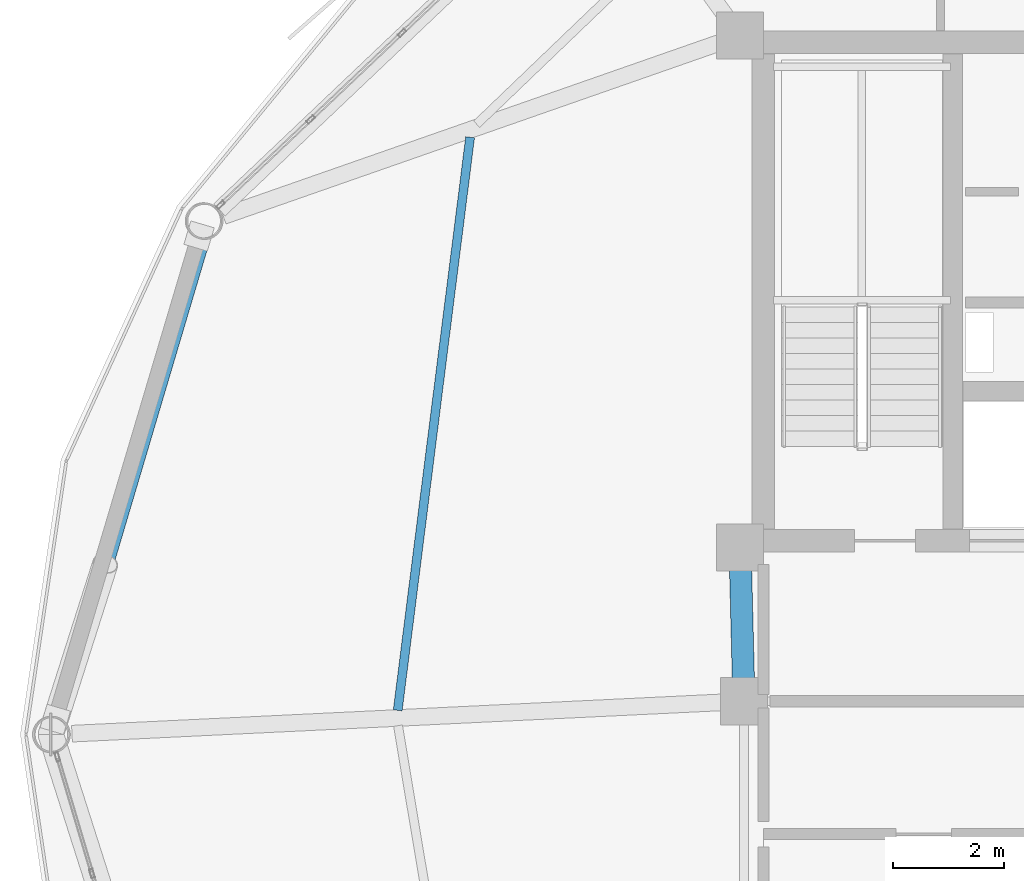
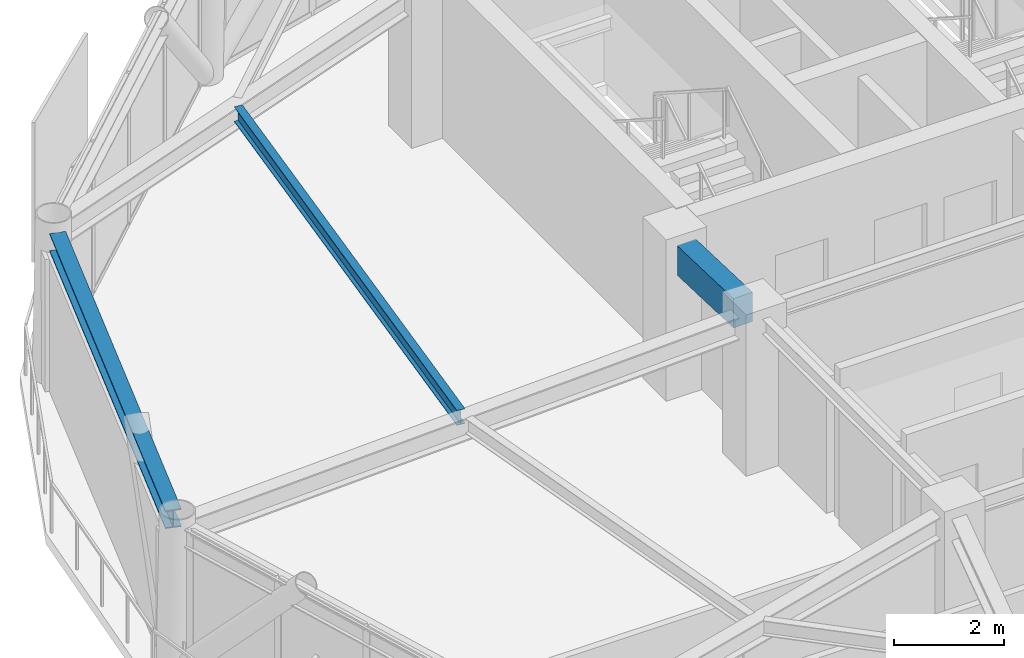
# One storey, part 13 of 29: 3 beams.
"""IFC4 building model written with IfcOpenShell, lengths in metres."""

from ifc_helpers import new_model, si_unit, direction, frame, origin, origin_2d, place, context, subcontext, project, spatial, rectangle, i_section, extrude, material, material_profile, profile_set, type_object, element, save


model = new_model("IFC4")

# Units and contexts
model_context = context("Model", 3, precision=1e-05, world=origin(), true_north=direction((0.0, 1.0)))
body_context = subcontext(model_context, "Body", "Model", "MODEL_VIEW")
ifc_project = project(units=[si_unit("LENGTHUNIT", "METRE"), si_unit("AREAUNIT", "SQUARE_METRE"), si_unit("VOLUMEUNIT", "CUBIC_METRE"), si_unit("PLANEANGLEUNIT", "RADIAN"), si_unit("MASSUNIT", "GRAM", prefix="KILO")], contexts=[model_context])

# Site, building, storey
site_placement = place(None, origin())
site = spatial("IfcSite", under=ifc_project, at=site_placement, CompositionType="ELEMENT")
building_placement = place(site_placement, origin())
building = spatial("IfcBuilding", under=site, at=building_placement, Name="Varnakorn Sky Granary", CompositionType="ELEMENT")
storey_placement = place(building_placement, frame((0.0, 0.0, 182.39990234375)))
storey = spatial("IfcBuildingStorey", under=building, at=storey_placement, Name="L45", CompositionType="ELEMENT", Elevation=182.39990234375)

# Beams
ifc_material_1 = material(Name="Concrete C50/60", Category="concrete")
ifc_material_profile_1 = material_profile(ifc_material_1, rectangle(XDim=0.39990234375, YDim=0.64990234375, at=origin_2d()), Name="RC 400x650")
ifc_profile_set_1 = profile_set([ifc_material_profile_1], Name="Concrete C50/60")
beam_type_1 = type_object("IfcBeamType", Name="BM-LIN-650", PredefinedType="LINTEL", material=ifc_profile_set_1)
beam_1_placement = place(storey_placement, frame((-2.409912109375, 2.97509765625, 3.03515625), z_axis=(0.025270737467, -0.99968064392, 0.0), x_axis=(0.99968064392, 0.025270737467, 0.0)))
element("IfcBeam", 1, at=beam_1_placement, inside=storey, type_object=beam_type_1, Name="Core Spine Framing Beam 1 L45", PredefinedType="LINTEL", context=body_context, shape_type="SweptSolid", body=[
    extrude(rectangle(XDim=0.39990234375, YDim=0.64990234375, at=origin_2d()), origin(), (0.0, 0.0, 1.0), 1.970947265625),
])
ifc_material_2 = material(Name="Steel S355JR", Category="steel")
ifc_material_profile_2 = material_profile(ifc_material_2, i_section(OverallWidth=0.159912109375, OverallDepth=0.330078125, WebThickness=0.007568359375, FlangeThickness=0.011474609375, at=origin_2d()), Name="IPE 330")
ifc_profile_set_2 = profile_set([ifc_material_profile_2], Name="Steel S355JR")
beam_type_2 = type_object("IfcBeamType", Name="BM-SEC-Z4", PredefinedType="BEAM", material=ifc_profile_set_2)
beam_2_placement = place(storey_placement, frame((-7.2939453125, 10.784423828125, 3.195068359375), z_axis=(-0.125302258868, -0.992118613837, 0.0), x_axis=(0.992118613837, -0.125302258868, 0.0)))
element("IfcBeam", 2, at=beam_2_placement, inside=storey, type_object=beam_type_2, Name="Secondary Floor Chord Beam MSB06 L45", PredefinedType="BEAM", context=body_context, shape_type="SweptSolid", body=[
    extrude(i_section(OverallWidth=0.159912109375, OverallDepth=0.330078125, WebThickness=0.007568359375, FlangeThickness=0.011474609375, at=origin_2d()), origin(), (0.0, 0.0, 1.0), 10.429931640625),
])
ifc_material_profile_3 = material_profile(ifc_material_2, i_section(OverallWidth=0.300048828125, OverallDepth=0.39990234375, WebThickness=0.013427734375, FlangeThickness=0.02392578125, at=origin_2d()), Name="HE 400 B")
ifc_profile_set_3 = profile_set([ifc_material_profile_3], Name="Steel S355JR")
beam_type_3 = type_object("IfcBeamType", Name="BM-SPD-Z4", PredefinedType="SPANDREL", material=ifc_profile_set_3)
beam_3_placement = place(storey_placement, frame((-12.1376953125, 8.95458984375, 3.16015625), z_axis=(-0.28468412354, -0.958621379797, 0.0), x_axis=(0.958621379797, -0.28468412354, 0.0)))
element("IfcBeam", 3, at=beam_3_placement, inside=storey, type_object=beam_type_3, Name="Perimeter Spandrel Ring Beam RB06 L45", PredefinedType="SPANDREL", context=body_context, shape_type="SweptSolid", body=[
    extrude(i_section(OverallWidth=0.300048828125, OverallDepth=0.39990234375, WebThickness=0.013427734375, FlangeThickness=0.02392578125, at=origin_2d()), origin(), (0.0, 0.0, 1.0), 9.026123046875),
])

save(model, "model.ifc")
